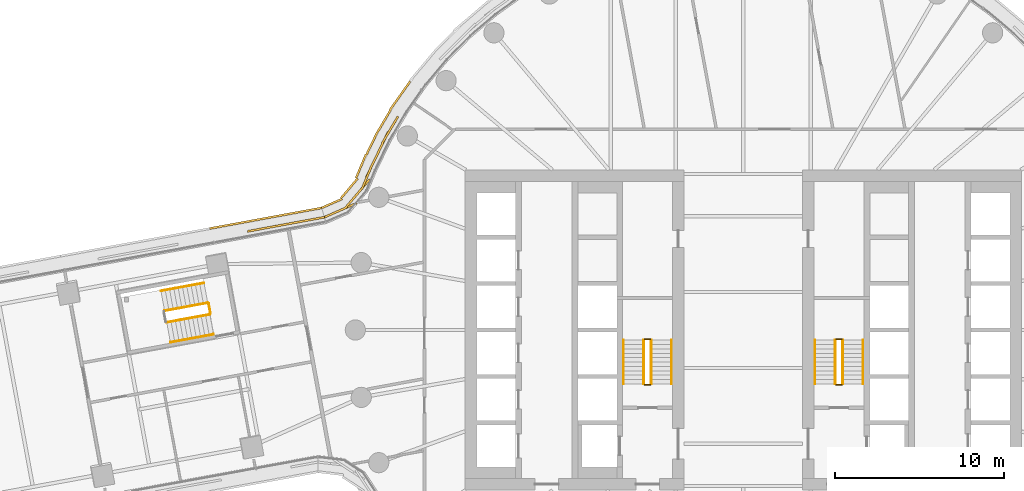
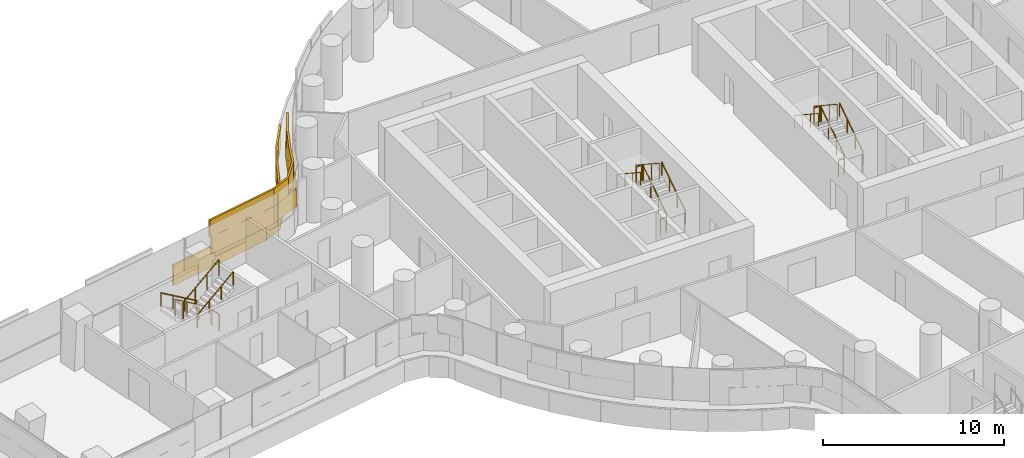
# One storey, part 29 of 33: 17 railings, 2 coverings.
"""IFC4 building model written with IfcOpenShell, lengths in metres."""

from ifc_helpers import new_model, si_unit, direction, frame, origin, origin_2d, place, context, subcontext, project, spatial, rectangle, circle, extrude, material, layer, layer_set, type_object, element, save


model = new_model("IFC4")

# Units and contexts
model_context = context("Model", 3, precision=1e-05, world=origin(), true_north=direction((0.0, 1.0)))
body_context = subcontext(model_context, "Body", "Model", "MODEL_VIEW")
ifc_project = project(units=[si_unit("LENGTHUNIT", "METRE"), si_unit("AREAUNIT", "SQUARE_METRE"), si_unit("VOLUMEUNIT", "CUBIC_METRE"), si_unit("PLANEANGLEUNIT", "RADIAN"), si_unit("MASSUNIT", "GRAM", prefix="KILO")], contexts=[model_context])

# Site, building, storey
site_placement = place(None, origin())
site = spatial("IfcSite", under=ifc_project, at=site_placement, CompositionType="ELEMENT")
building_placement = place(site_placement, origin())
building = spatial("IfcBuilding", under=site, at=building_placement, Name="Tamarind Cross Interchange Tower", CompositionType="ELEMENT")
storey_placement = place(building_placement, frame((0.0, 0.0, 71.5)))
storey = spatial("IfcBuildingStorey", under=building, at=storey_placement, Name="L16", CompositionType="ELEMENT", Elevation=71.5)

# Railings
ifc_material_1 = material(Name="Stair guard")
railing_type_1 = type_object("IfcRailingType", Name="Stair guard", PredefinedType="GUARDRAIL", material=ifc_material_1)
railing_1_placement = place(storey_placement, frame((-5.449951171875, -3.199951171875, 0.17041015625)))
element("IfcRailing", 1, at=railing_1_placement, inside=storey, type_object=railing_type_1, Name="L16 ST1 stair guard 1", PredefinedType="GUARDRAIL", context=body_context, shape_type="SweptSolid", body=[
    extrude(circle(Radius=0.02392578125, at=origin_2d()), frame((0.0, 0.0, 1.076171875), z_axis=(0.0, 0.836278606002, 0.548304744775), x_axis=(-1.0, 0.0, 0.0)), (0.0, 0.0, 1.0), 3.10888671875),
    extrude(circle(Radius=0.02099609375, at=origin_2d()), origin(), (0.0, 0.0, 1.0), 1.052001953125),
    extrude(circle(Radius=0.02099609375, at=origin_2d()), frame((0.0, 0.86669921875, 0.568115234375)), (0.0, 0.0, 1.0), 1.052001953125),
    extrude(circle(Radius=0.02099609375, at=origin_2d()), frame((0.0, 1.733154296875, 1.136474609375)), (0.0, 0.0, 1.0), 1.052001953125),
    extrude(circle(Radius=0.02099609375, at=origin_2d()), frame((0.0, 2.599853515625, 1.70458984375)), (0.0, 0.0, 1.0), 1.052001953125),
])
railing_2_placement = place(storey_placement, frame((-5.5, -0.550048828125, 1.875)))
element("IfcRailing", 2, at=railing_2_placement, inside=storey, type_object=railing_type_1, Name="L16 ST1 stair guard 2", PredefinedType="GUARDRAIL", context=body_context, shape_type="SweptSolid", body=[
    extrude(circle(Radius=0.02392578125, at=origin_2d()), frame((0.0, 0.0, 1.076171875), z_axis=(-1.0, 0.0, 0.0), x_axis=(0.0, -1.0, 0.0)), (0.0, 0.0, 1.0), 0.35009765625),
    extrude(circle(Radius=0.02099609375, at=origin_2d()), origin(), (0.0, 0.0, 1.0), 1.052001953125),
    extrude(circle(Radius=0.02099609375, at=origin_2d()), frame((-0.35009765625, 0.0, 0.0)), (0.0, 0.0, 1.0), 1.052001953125),
])
railing_3_placement = place(storey_placement, frame((-5.89990234375, -0.60009765625, 2.04541015625)))
element("IfcRailing", 3, at=railing_3_placement, inside=storey, type_object=railing_type_1, Name="L16 ST1 stair guard 3", PredefinedType="GUARDRAIL", context=body_context, shape_type="SweptSolid", body=[
    extrude(circle(Radius=0.02392578125, at=origin_2d()), frame((0.0, 0.0, 1.076171875), z_axis=(0.0, -0.836278606002, 0.548304744775), x_axis=(1.0, 0.0, 0.0)), (0.0, 0.0, 1.0), 3.10888671875),
    extrude(circle(Radius=0.02099609375, at=origin_2d()), origin(), (0.0, 0.0, 1.0), 1.052001953125),
    extrude(circle(Radius=0.02099609375, at=origin_2d()), frame((0.0, -0.86669921875, 0.568115234375)), (0.0, 0.0, 1.0), 1.052001953125),
    extrude(circle(Radius=0.02099609375, at=origin_2d()), frame((0.0, -1.733154296875, 1.136474609375)), (0.0, 0.0, 1.0), 1.052001953125),
    extrude(circle(Radius=0.02099609375, at=origin_2d()), frame((0.0, -2.599853515625, 1.70458984375)), (0.0, 0.0, 1.0), 1.052001953125),
])
railing_4_placement = place(storey_placement, frame((-5.5, -3.25, 0.0)))
element("IfcRailing", 4, at=railing_4_placement, inside=storey, type_object=railing_type_1, Name="L16 ST1 stair guard 4", PredefinedType="GUARDRAIL", context=body_context, shape_type="SweptSolid", body=[
    extrude(circle(Radius=0.02392578125, at=origin_2d()), frame((0.0, 0.0, 1.076171875), z_axis=(-1.0, 0.0, 0.0), x_axis=(0.0, -1.0, 0.0)), (0.0, 0.0, 1.0), 0.35009765625),
    extrude(circle(Radius=0.02099609375, at=origin_2d()), origin(), (0.0, 0.0, 1.0), 1.052001953125),
    extrude(circle(Radius=0.02099609375, at=origin_2d()), frame((-0.35009765625, 0.0, 0.0)), (0.0, 0.0, 1.0), 1.052001953125),
])
railing_5_placement = place(storey_placement, frame((5.89990234375, -3.199951171875, 0.17041015625)))
element("IfcRailing", 5, at=railing_5_placement, inside=storey, type_object=railing_type_1, Name="L16 ST2 stair guard 1", PredefinedType="GUARDRAIL", context=body_context, shape_type="SweptSolid", body=[
    extrude(circle(Radius=0.02392578125, at=origin_2d()), frame((0.0, 0.0, 1.076171875), z_axis=(0.0, 0.836278606002, 0.548304744775), x_axis=(-1.0, 0.0, 0.0)), (0.0, 0.0, 1.0), 3.10888671875),
    extrude(circle(Radius=0.02099609375, at=origin_2d()), origin(), (0.0, 0.0, 1.0), 1.052001953125),
    extrude(circle(Radius=0.02099609375, at=origin_2d()), frame((0.0, 0.86669921875, 0.568115234375)), (0.0, 0.0, 1.0), 1.052001953125),
    extrude(circle(Radius=0.02099609375, at=origin_2d()), frame((0.0, 1.733154296875, 1.136474609375)), (0.0, 0.0, 1.0), 1.052001953125),
    extrude(circle(Radius=0.02099609375, at=origin_2d()), frame((0.0, 2.599853515625, 1.70458984375)), (0.0, 0.0, 1.0), 1.052001953125),
])
railing_6_placement = place(storey_placement, frame((5.85009765625, -0.550048828125, 1.875)))
element("IfcRailing", 6, at=railing_6_placement, inside=storey, type_object=railing_type_1, Name="L16 ST2 stair guard 2", PredefinedType="GUARDRAIL", context=body_context, shape_type="SweptSolid", body=[
    extrude(circle(Radius=0.02392578125, at=origin_2d()), frame((0.0, 0.0, 1.076171875), z_axis=(-1.0, 0.0, 0.0), x_axis=(0.0, -1.0, 0.0)), (0.0, 0.0, 1.0), 0.35009765625),
    extrude(circle(Radius=0.02099609375, at=origin_2d()), origin(), (0.0, 0.0, 1.0), 1.052001953125),
    extrude(circle(Radius=0.02099609375, at=origin_2d()), frame((-0.35009765625, 0.0, 0.0)), (0.0, 0.0, 1.0), 1.052001953125),
])
railing_7_placement = place(storey_placement, frame((5.449951171875, -0.60009765625, 2.04541015625)))
element("IfcRailing", 7, at=railing_7_placement, inside=storey, type_object=railing_type_1, Name="L16 ST2 stair guard 3", PredefinedType="GUARDRAIL", context=body_context, shape_type="SweptSolid", body=[
    extrude(circle(Radius=0.02392578125, at=origin_2d()), frame((0.0, 0.0, 1.076171875), z_axis=(0.0, -0.836278606002, 0.548304744775), x_axis=(1.0, 0.0, 0.0)), (0.0, 0.0, 1.0), 3.10888671875),
    extrude(circle(Radius=0.02099609375, at=origin_2d()), origin(), (0.0, 0.0, 1.0), 1.052001953125),
    extrude(circle(Radius=0.02099609375, at=origin_2d()), frame((0.0, -0.86669921875, 0.568115234375)), (0.0, 0.0, 1.0), 1.052001953125),
    extrude(circle(Radius=0.02099609375, at=origin_2d()), frame((0.0, -1.733154296875, 1.136474609375)), (0.0, 0.0, 1.0), 1.052001953125),
    extrude(circle(Radius=0.02099609375, at=origin_2d()), frame((0.0, -2.599853515625, 1.70458984375)), (0.0, 0.0, 1.0), 1.052001953125),
])
railing_8_placement = place(storey_placement, frame((5.85009765625, -3.25, 0.0)))
element("IfcRailing", 8, at=railing_8_placement, inside=storey, type_object=railing_type_1, Name="L16 ST2 stair guard 4", PredefinedType="GUARDRAIL", context=body_context, shape_type="SweptSolid", body=[
    extrude(circle(Radius=0.02392578125, at=origin_2d()), frame((0.0, 0.0, 1.076171875), z_axis=(-1.0, 0.0, 0.0), x_axis=(0.0, -1.0, 0.0)), (0.0, 0.0, 1.0), 0.35009765625),
    extrude(circle(Radius=0.02099609375, at=origin_2d()), origin(), (0.0, 0.0, 1.0), 1.052001953125),
    extrude(circle(Radius=0.02099609375, at=origin_2d()), frame((-0.35009765625, 0.0, 0.0)), (0.0, 0.0, 1.0), 1.052001953125),
])
railing_9_placement = place(storey_placement, frame((-31.75341796875, 1.60791015625, 0.17041015625)))
element("IfcRailing", 9, at=railing_9_placement, inside=storey, type_object=railing_type_1, Name="L16 ST5 stair guard 1", PredefinedType="GUARDRAIL", context=body_context, shape_type="SweptSolid", body=[
    extrude(circle(Radius=0.02392578125, at=origin_2d()), frame((0.0, 0.0, 1.076171875), z_axis=(-0.822428488544, -0.151638442794, 0.54828565903), x_axis=(0.181322555396, -0.983423678231, 0.0)), (0.0, 0.0, 1.0), 3.10888671875),
    extrude(circle(Radius=0.02099609375, at=origin_2d()), origin(), (0.0, 0.0, 1.0), 1.052001953125),
    extrude(circle(Radius=0.02099609375, at=origin_2d()), frame((-0.852294921875, -0.1572265625, 0.568115234375)), (0.0, 0.0, 1.0), 1.052001953125),
    extrude(circle(Radius=0.02099609375, at=origin_2d()), frame((-1.70458984375, -0.314208984375, 1.136474609375)), (0.0, 0.0, 1.0), 1.052001953125),
    extrude(circle(Radius=0.02099609375, at=origin_2d()), frame((-2.556884765625, -0.471435546875, 1.70458984375)), (0.0, 0.0, 1.0), 1.052001953125),
])
railing_10_placement = place(storey_placement, frame((-34.183349609375, 0.447998046875, 2.04541015625)))
element("IfcRailing", 10, at=railing_10_placement, inside=storey, type_object=railing_type_1, Name="L16 ST5 stair guard 3", PredefinedType="GUARDRAIL", context=body_context, shape_type="SweptSolid", body=[
    extrude(circle(Radius=0.02392578125, at=origin_2d()), frame((0.0, 0.0, 1.076171875), z_axis=(0.822418692761, 0.151715164176, 0.548279128507), x_axis=(-0.181413366674, 0.983406930214, 0.0)), (0.0, 0.0, 1.0), 3.10888671875),
    extrude(circle(Radius=0.02099609375, at=origin_2d()), origin(), (0.0, 0.0, 1.0), 1.052001953125),
    extrude(circle(Radius=0.02099609375, at=origin_2d()), frame((0.852294921875, 0.1572265625, 0.568115234375)), (0.0, 0.0, 1.0), 1.052001953125),
    extrude(circle(Radius=0.02099609375, at=origin_2d()), frame((1.70458984375, 0.314453125, 1.136474609375)), (0.0, 0.0, 1.0), 1.052001953125),
    extrude(circle(Radius=0.02099609375, at=origin_2d()), frame((2.556884765625, 0.4716796875, 1.70458984375)), (0.0, 0.0, 1.0), 1.052001953125),
])
railing_11_placement = place(storey_placement, frame((-31.695068359375, 1.56787109375, 0.0)))
element("IfcRailing", 11, at=railing_11_placement, inside=storey, type_object=railing_type_1, Name="L16 ST5 stair guard 4", PredefinedType="GUARDRAIL", context=body_context, shape_type="SweptSolid", body=[
    extrude(circle(Radius=0.02392578125, at=origin_2d()), frame((0.0, 0.0, 1.076171875), z_axis=(0.1814627342, -0.983397821889, 0.0), x_axis=(0.983397821889, 0.1814627342, 0.0)), (0.0, 0.0, 1.0), 0.60009765625),
    extrude(circle(Radius=0.02099609375, at=origin_2d()), origin(), (0.0, 0.0, 1.0), 1.052001953125),
    extrude(circle(Radius=0.02099609375, at=origin_2d()), frame((0.10888671875, -0.590087890625, 0.0)), (0.0, 0.0, 1.0), 1.052001953125),
])
ifc_material_2 = material(Name="Stair handrail")
railing_type_2 = type_object("IfcRailingType", Name="Stair handrail", PredefinedType="HANDRAIL", material=ifc_material_2)
railing_12_placement = place(storey_placement, frame((-4.25, -3.199951171875, 0.17041015625)))
element("IfcRailing", 12, at=railing_12_placement, inside=storey, type_object=railing_type_2, Name="L16 ST1 stair handrail 1", PredefinedType="HANDRAIL", context=body_context, shape_type="SweptSolid", body=[
    extrude(circle(Radius=0.02392578125, at=origin_2d()), frame((0.0, 0.0, 0.8759765625), z_axis=(0.0, 0.836278606002, 0.548304744775), x_axis=(-1.0, 0.0, 0.0)), (0.0, 0.0, 1.0), 3.10888671875),
    extrude(circle(Radius=0.02099609375, at=origin_2d()), origin(), (0.0, 0.0, 1.0), 0.851806640625),
    extrude(circle(Radius=0.02099609375, at=origin_2d()), frame((0.0, 0.86669921875, 0.568115234375)), (0.0, 0.0, 1.0), 0.851806640625),
    extrude(circle(Radius=0.02099609375, at=origin_2d()), frame((0.0, 1.733154296875, 1.136474609375)), (0.0, 0.0, 1.0), 0.851806640625),
    extrude(circle(Radius=0.02099609375, at=origin_2d()), frame((0.0, 2.599853515625, 1.70458984375)), (0.0, 0.0, 1.0), 0.851806640625),
])
railing_13_placement = place(storey_placement, frame((-7.10009765625, -0.60009765625, 2.04541015625)))
element("IfcRailing", 13, at=railing_13_placement, inside=storey, type_object=railing_type_2, Name="L16 ST1 stair handrail 2", PredefinedType="HANDRAIL", context=body_context, shape_type="SweptSolid", body=[
    extrude(circle(Radius=0.02392578125, at=origin_2d()), frame((0.0, 0.0, 0.8759765625), z_axis=(0.0, -0.836278606002, 0.548304744775), x_axis=(1.0, 0.0, 0.0)), (0.0, 0.0, 1.0), 3.10888671875),
    extrude(circle(Radius=0.02099609375, at=origin_2d()), origin(), (0.0, 0.0, 1.0), 0.851806640625),
    extrude(circle(Radius=0.02099609375, at=origin_2d()), frame((0.0, -0.86669921875, 0.568115234375)), (0.0, 0.0, 1.0), 0.851806640625),
    extrude(circle(Radius=0.02099609375, at=origin_2d()), frame((0.0, -1.733154296875, 1.136474609375)), (0.0, 0.0, 1.0), 0.851806640625),
    extrude(circle(Radius=0.02099609375, at=origin_2d()), frame((0.0, -2.599853515625, 1.70458984375)), (0.0, 0.0, 1.0), 0.851806640625),
])
railing_14_placement = place(storey_placement, frame((7.10009765625, -3.199951171875, 0.17041015625)))
element("IfcRailing", 14, at=railing_14_placement, inside=storey, type_object=railing_type_2, Name="L16 ST2 stair handrail 1", PredefinedType="HANDRAIL", context=body_context, shape_type="SweptSolid", body=[
    extrude(circle(Radius=0.02392578125, at=origin_2d()), frame((0.0, 0.0, 0.8759765625), z_axis=(0.0, 0.836278606002, 0.548304744775), x_axis=(-1.0, 0.0, 0.0)), (0.0, 0.0, 1.0), 3.10888671875),
    extrude(circle(Radius=0.02099609375, at=origin_2d()), origin(), (0.0, 0.0, 1.0), 0.851806640625),
    extrude(circle(Radius=0.02099609375, at=origin_2d()), frame((0.0, 0.86669921875, 0.568115234375)), (0.0, 0.0, 1.0), 0.851806640625),
    extrude(circle(Radius=0.02099609375, at=origin_2d()), frame((0.0, 1.733154296875, 1.136474609375)), (0.0, 0.0, 1.0), 0.851806640625),
    extrude(circle(Radius=0.02099609375, at=origin_2d()), frame((0.0, 2.599853515625, 1.70458984375)), (0.0, 0.0, 1.0), 0.851806640625),
])
railing_15_placement = place(storey_placement, frame((4.25, -0.60009765625, 2.04541015625)))
element("IfcRailing", 15, at=railing_15_placement, inside=storey, type_object=railing_type_2, Name="L16 ST2 stair handrail 2", PredefinedType="HANDRAIL", context=body_context, shape_type="SweptSolid", body=[
    extrude(circle(Radius=0.02392578125, at=origin_2d()), frame((0.0, 0.0, 0.8759765625), z_axis=(0.0, -0.836278606002, 0.548304744775), x_axis=(1.0, 0.0, 0.0)), (0.0, 0.0, 1.0), 3.10888671875),
    extrude(circle(Radius=0.02099609375, at=origin_2d()), origin(), (0.0, 0.0, 1.0), 0.851806640625),
    extrude(circle(Radius=0.02099609375, at=origin_2d()), frame((0.0, -0.86669921875, 0.568115234375)), (0.0, 0.0, 1.0), 0.851806640625),
    extrude(circle(Radius=0.02099609375, at=origin_2d()), frame((0.0, -1.733154296875, 1.136474609375)), (0.0, 0.0, 1.0), 0.851806640625),
    extrude(circle(Radius=0.02099609375, at=origin_2d()), frame((0.0, -2.599853515625, 1.70458984375)), (0.0, 0.0, 1.0), 0.851806640625),
])
railing_16_placement = place(storey_placement, frame((-31.970947265625, 2.7880859375, 0.17041015625)))
element("IfcRailing", 16, at=railing_16_placement, inside=storey, type_object=railing_type_2, Name="L16 ST5 stair handrail 1", PredefinedType="HANDRAIL", context=body_context, shape_type="SweptSolid", body=[
    extrude(circle(Radius=0.02392578125, at=origin_2d()), frame((0.0, 0.0, 0.8759765625), z_axis=(-0.822428488544, -0.151638442794, 0.54828565903), x_axis=(0.181322555396, -0.983423678231, 0.0)), (0.0, 0.0, 1.0), 3.10888671875),
    extrude(circle(Radius=0.02099609375, at=origin_2d()), origin(), (0.0, 0.0, 1.0), 0.851806640625),
    extrude(circle(Radius=0.02099609375, at=origin_2d()), frame((-0.852294921875, -0.1572265625, 0.568115234375)), (0.0, 0.0, 1.0), 0.851806640625),
    extrude(circle(Radius=0.02099609375, at=origin_2d()), frame((-1.70458984375, -0.314208984375, 1.136474609375)), (0.0, 0.0, 1.0), 0.851806640625),
    extrude(circle(Radius=0.02099609375, at=origin_2d()), frame((-2.556884765625, -0.471435546875, 1.70458984375)), (0.0, 0.0, 1.0), 0.851806640625),
])
railing_17_placement = place(storey_placement, frame((-33.965576171875, -0.73193359375, 2.04541015625)))
element("IfcRailing", 17, at=railing_17_placement, inside=storey, type_object=railing_type_2, Name="L16 ST5 stair handrail 2", PredefinedType="HANDRAIL", context=body_context, shape_type="SweptSolid", body=[
    extrude(circle(Radius=0.02392578125, at=origin_2d()), frame((0.0, 0.0, 0.8759765625), z_axis=(0.822428488544, 0.151638442794, 0.54828565903), x_axis=(-0.181322555396, 0.983423678231, 0.0)), (0.0, 0.0, 1.0), 3.10888671875),
    extrude(circle(Radius=0.02099609375, at=origin_2d()), origin(), (0.0, 0.0, 1.0), 0.851806640625),
    extrude(circle(Radius=0.02099609375, at=origin_2d()), frame((0.852294921875, 0.1572265625, 0.568115234375)), (0.0, 0.0, 1.0), 0.851806640625),
    extrude(circle(Radius=0.02099609375, at=origin_2d()), frame((1.70458984375, 0.314208984375, 1.136474609375)), (0.0, 0.0, 1.0), 0.851806640625),
    extrude(circle(Radius=0.02099609375, at=origin_2d()), frame((2.556884765625, 0.471435546875, 1.70458984375)), (0.0, 0.0, 1.0), 0.851806640625),
])

# Coverings
ifc_material_3 = material(Name="Terracotta", Category="masonry")
ifc_layer = layer(ifc_material_3, 0.1201171875)
ifc_layer_set = layer_set([ifc_layer], Name="Terracotta")
covering_type = type_object("IfcCoveringType", Name="Terracotta baguette screen unit", PredefinedType="MOLDING", material=ifc_layer_set)
covering_1_placement = place(storey_placement, origin())
element("IfcCovering", 18, at=covering_1_placement, inside=storey, type_object=covering_type, Name="SCR-L16-14-01", PredefinedType="MOLDING", context=body_context, shape_type="SweptSolid", body=[
    extrude(rectangle(XDim=1.078125, YDim=0.1201171875, at=origin_2d()), frame((-20.74609375, 12.1962890625, 1.404052734375), z_axis=(0.0, 0.0, 1.0), x_axis=(-0.508183308752, -0.861248933065, 0.0)), (0.0, 0.0, 1.0), 1.1669921875),
    extrude(rectangle(XDim=1.52001953125, YDim=0.1201171875, at=origin_2d()), frame((-21.374755859375, 11.07763671875, 1.404052734375), z_axis=(0.0, 0.0, 1.0), x_axis=(-0.435326231914, -0.900272776334, 0.0)), (0.0, 0.0, 1.0), 1.1669921875),
    extrude(rectangle(XDim=1.52001953125, YDim=0.1201171875, at=origin_2d()), frame((-22.02783203125, 9.72705078125, 1.404052734375), z_axis=(0.0, 0.0, 1.0), x_axis=(-0.435326231914, -0.900272776334, 0.0)), (0.0, 0.0, 1.0), 1.1669921875),
    extrude(rectangle(XDim=1.52001953125, YDim=0.1201171875, at=origin_2d()), frame((-22.638671875, 8.361572265625, 1.404052734375), z_axis=(0.0, 0.0, 1.0), x_axis=(-0.646870834837, -0.762599582374, 0.0)), (0.0, 0.0, 1.0), 1.1669921875),
    extrude(rectangle(XDim=1.52001953125, YDim=0.1201171875, at=origin_2d()), frame((-23.612548828125, 7.22216796875, 1.404052734375), z_axis=(0.0, 0.0, 1.0), x_axis=(-0.915834031415, -0.401557003304, 0.0)), (0.0, 0.0, 1.0), 1.1669921875),
    extrude(rectangle(XDim=0.59228515625, YDim=0.1201171875, at=origin_2d()), frame((-24.56591796875, 6.80419921875, 1.404052734375), z_axis=(0.0, 0.0, 1.0), x_axis=(-0.915834031415, -0.401557003304, 0.0)), (0.0, 0.0, 1.0), 1.1669921875),
    extrude(rectangle(XDim=0.328125, YDim=0.1201171875, at=origin_2d()), frame((-20.555419921875, 12.519287109375, 2.5791015625), z_axis=(0.0, 0.0, 1.0), x_axis=(-0.508183308752, -0.861248933065, 0.0)), (0.0, 0.0, 1.0), 1.1669921875),
    extrude(rectangle(XDim=1.52001953125, YDim=0.1201171875, at=origin_2d()), frame((-21.017578125, 11.736328125, 2.5791015625), z_axis=(0.0, 0.0, 1.0), x_axis=(-0.508183308752, -0.861248933065, 0.0)), (0.0, 0.0, 1.0), 1.1669921875),
    extrude(rectangle(XDim=1.52001953125, YDim=0.1201171875, at=origin_2d()), frame((-21.701171875, 10.40234375, 2.5791015625), z_axis=(0.0, 0.0, 1.0), x_axis=(-0.435326231914, -0.900272776334, 0.0)), (0.0, 0.0, 1.0), 1.1669921875),
    extrude(rectangle(XDim=1.52001953125, YDim=0.1201171875, at=origin_2d()), frame((-22.32568359375, 9.0390625, 2.5791015625), z_axis=(0.0, 0.0, 1.0), x_axis=(-0.386990619576, -0.922083651498, 0.0)), (0.0, 0.0, 1.0), 1.1669921875),
    extrude(rectangle(XDim=1.52001953125, YDim=0.1201171875, at=origin_2d()), frame((-23.123779296875, 7.78955078125, 2.5791015625), z_axis=(0.0, 0.0, 1.0), x_axis=(-0.646870834837, -0.762599582374, 0.0)), (0.0, 0.0, 1.0), 1.1669921875),
    extrude(rectangle(XDim=1.34228515625, YDim=0.1201171875, at=origin_2d()), frame((-24.222412109375, 6.95458984375, 2.5791015625), z_axis=(0.0, 0.0, 1.0), x_axis=(-0.915834031415, -0.401557003304, 0.0)), (0.0, 0.0, 1.0), 1.1669921875),
    extrude(rectangle(XDim=0.57275390625, YDim=0.1201171875, at=origin_2d()), frame((-19.922119140625, 14.50244140625, 0.00390625), z_axis=(0.0, 0.0, 1.0), x_axis=(-0.577568978284, -0.816341886298, 0.0)), (0.0, 0.0, 1.0), 1.39208984375),
    extrude(rectangle(XDim=1.52001953125, YDim=0.1201171875, at=origin_2d()), frame((-20.514892578125, 13.66455078125, 0.00390625), z_axis=(0.0, 0.0, 1.0), x_axis=(-0.577568978284, -0.816341886298, 0.0)), (0.0, 0.0, 1.0), 1.39208984375),
    extrude(rectangle(XDim=1.52001953125, YDim=0.1201171875, at=origin_2d()), frame((-21.2998046875, 12.38720703125, 0.00390625), z_axis=(0.0, 0.0, 1.0), x_axis=(-0.508183308752, -0.861248933065, 0.0)), (0.0, 0.0, 1.0), 1.39208984375),
    extrude(rectangle(XDim=1.52001953125, YDim=0.1201171875, at=origin_2d()), frame((-22.015625, 11.070556640625, 0.00390625), z_axis=(0.0, 0.0, 1.0), x_axis=(-0.435326231914, -0.900272776334, 0.0)), (0.0, 0.0, 1.0), 1.39208984375),
    extrude(rectangle(XDim=1.52001953125, YDim=0.1201171875, at=origin_2d()), frame((-22.66357421875, 9.7177734375, 0.00390625), z_axis=(0.0, 0.0, 1.0), x_axis=(-0.386990619576, -0.922083651498, 0.0)), (0.0, 0.0, 1.0), 1.39208984375),
    extrude(rectangle(XDim=1.52001953125, YDim=0.1201171875, at=origin_2d()), frame((-23.35595703125, 8.4033203125, 0.00390625), z_axis=(0.0, 0.0, 1.0), x_axis=(-0.646870834837, -0.762599582374, 0.0)), (0.0, 0.0, 1.0), 1.39208984375),
    extrude(rectangle(XDim=1.32861328125, YDim=0.1201171875, at=origin_2d()), frame((-24.393798828125, 7.50634765625, 0.00390625), z_axis=(0.0, 0.0, 1.0), x_axis=(-0.915834031415, -0.401557003304, 0.0)), (0.0, 0.0, 1.0), 1.39208984375),
])
covering_2_placement = place(storey_placement, origin())
element("IfcCovering", 19, at=covering_2_placement, inside=storey, type_object=covering_type, Name="SCR-L16-15-00", PredefinedType="MOLDING", context=body_context, shape_type="SweptSolid", body=[
    extrude(rectangle(XDim=1.510009765625, YDim=0.1201171875, at=origin_2d()), frame((-25.570068359375, 6.55126953125, 1.404052734375), z_axis=(0.0, 0.0, 1.0), x_axis=(-0.983419894311, -0.181343076715, 0.0)), (0.0, 0.0, 1.0), 1.1669921875),
    extrude(rectangle(XDim=1.52001953125, YDim=0.1201171875, at=origin_2d()), frame((-27.045166015625, 6.279296875, 1.404052734375), z_axis=(0.0, 0.0, 1.0), x_axis=(-0.983419894311, -0.181343076715, 0.0)), (0.0, 0.0, 1.0), 1.1669921875),
    extrude(rectangle(XDim=1.52001953125, YDim=0.1201171875, at=origin_2d()), frame((-28.5205078125, 6.007080078125, 1.404052734375), z_axis=(0.0, 0.0, 1.0), x_axis=(-0.983419894311, -0.181343076715, 0.0)), (0.0, 0.0, 1.0), 1.1669921875),
    extrude(rectangle(XDim=0.760009765625, YDim=0.1201171875, at=origin_2d()), frame((-25.201416015625, 6.619140625, 2.5791015625), z_axis=(0.0, 0.0, 1.0), x_axis=(-0.983419894311, -0.181343076715, 0.0)), (0.0, 0.0, 1.0), 1.1669921875),
    extrude(rectangle(XDim=1.52001953125, YDim=0.1201171875, at=origin_2d()), frame((-26.3076171875, 6.415283203125, 2.5791015625), z_axis=(0.0, 0.0, 1.0), x_axis=(-0.983419894311, -0.181343076715, 0.0)), (0.0, 0.0, 1.0), 1.1669921875),
    extrude(rectangle(XDim=1.52001953125, YDim=0.1201171875, at=origin_2d()), frame((-27.782958984375, 6.14306640625, 2.5791015625), z_axis=(0.0, 0.0, 1.0), x_axis=(-0.983419894311, -0.181343076715, 0.0)), (0.0, 0.0, 1.0), 1.1669921875),
    extrude(rectangle(XDim=0.89794921875, YDim=0.1201171875, at=origin_2d()), frame((-28.95703125, 5.9267578125, 2.5791015625), z_axis=(0.0, 0.0, 1.0), x_axis=(-0.983419894311, -0.181343076715, 0.0)), (0.0, 0.0, 1.0), 1.1669921875),
    extrude(rectangle(XDim=1.510009765625, YDim=0.1201171875, at=origin_2d()), frame((-25.74462890625, 7.102783203125, 0.00390625), z_axis=(0.0, 0.0, 1.0), x_axis=(-0.983419894311, -0.181343076715, 0.0)), (0.0, 0.0, 1.0), 1.39208984375),
    extrude(rectangle(XDim=1.52001953125, YDim=0.1201171875, at=origin_2d()), frame((-27.21484375, 6.83154296875, 0.00390625), z_axis=(0.0, 0.0, 1.0), x_axis=(-0.983419894311, -0.181343076715, 0.0)), (0.0, 0.0, 1.0), 1.39208984375),
    extrude(rectangle(XDim=1.52001953125, YDim=0.1201171875, at=origin_2d()), frame((-28.68994140625, 6.5595703125, 0.00390625), z_axis=(0.0, 0.0, 1.0), x_axis=(-0.983419894311, -0.181343076715, 0.0)), (0.0, 0.0, 1.0), 1.39208984375),
    extrude(rectangle(XDim=1.52001953125, YDim=0.1201171875, at=origin_2d()), frame((-30.1650390625, 6.28759765625, 0.00390625), z_axis=(0.0, 0.0, 1.0), x_axis=(-0.983419894311, -0.181343076715, 0.0)), (0.0, 0.0, 1.0), 1.39208984375),
    extrude(rectangle(XDim=0.75048828125, YDim=0.1201171875, at=origin_2d()), frame((-31.26171875, 6.08544921875, 0.00390625), z_axis=(0.0, 0.0, 1.0), x_axis=(-0.983419894311, -0.181343076715, 0.0)), (0.0, 0.0, 1.0), 1.39208984375),
])

save(model, "model.ifc")
